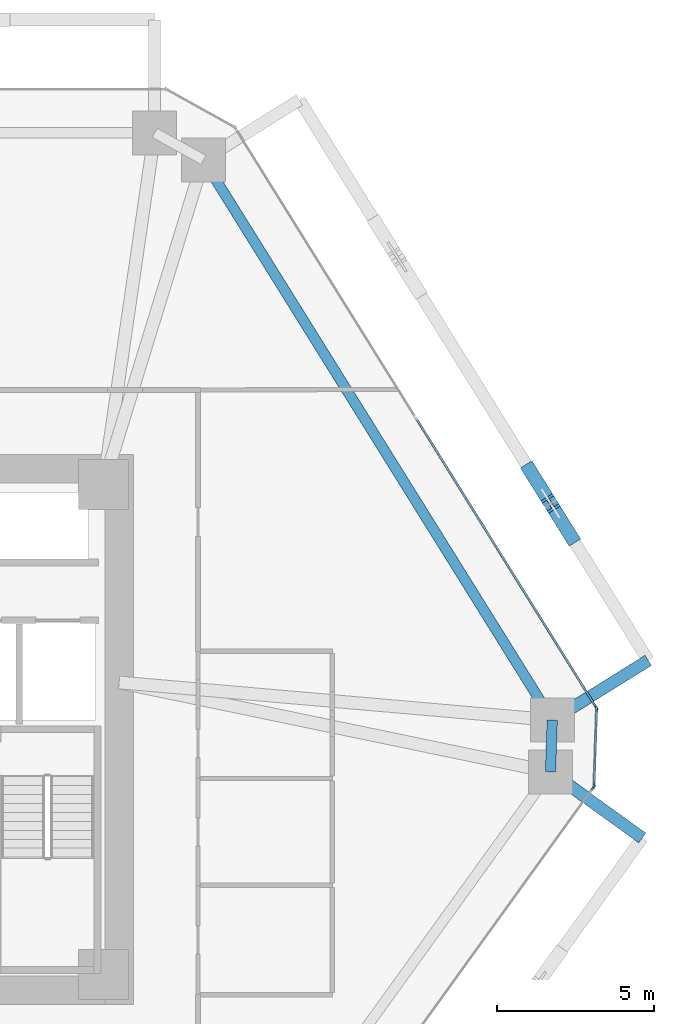
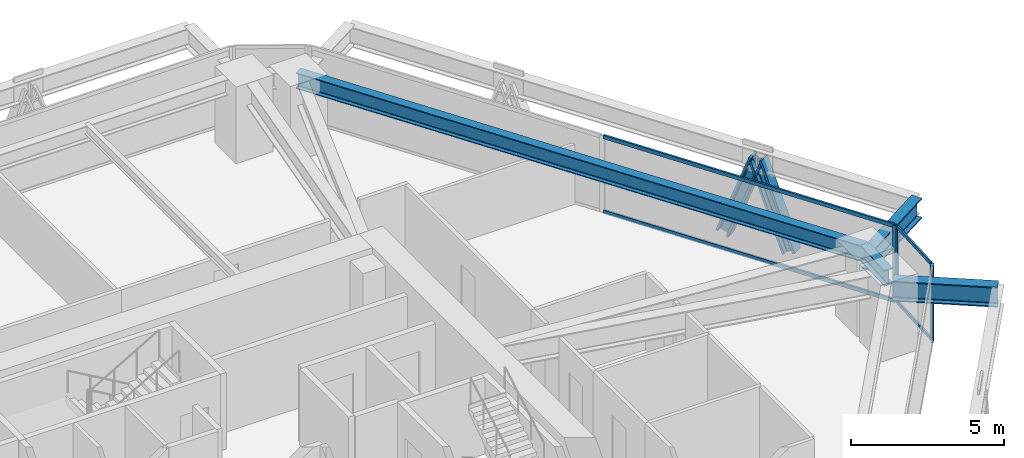
# One storey, part 6 of 17: 10 members, 4 beams, 3 elements without a shape of their own.
"""IFC4 building model written with IfcOpenShell, lengths in metres."""

import ifcopenshell
import ifcopenshell.guid

model = None  # the IFC model being written
_history = None  # IfcOwnerHistory: only IFC2X3 demands one
_inside = {}  # id of a spatial element -> (the spatial element, [elements in it])
_under = {}  # id of a project, library or spatial element -> (it, [spatial elements below it])
_declared = {}  # id of a project -> (the project, [libraries it declares])
_typed = {}  # id of a type object -> (the type object, [elements of that type])
_made_of = {}  # id of a material, layer set ... -> (it, [elements and type objects made of it])


def new_model(schema):
    """Start an empty IFC model of exactly this schema.

    Asked for "IFC4X3", IfcOpenShell would pick the latest addendum, in which some entities
    have other attributes; the version numbers below select the first issue.
    IFC2X3 requires an IfcOwnerHistory on every rooted entity: one is made here for all.
    """
    global model, _history
    if schema == "IFC4X3":
        model = ifcopenshell.file(schema_version=(4, 3, 0, 0))
    else:
        model = ifcopenshell.file(schema=schema)
    _inside.clear()
    _under.clear()
    _declared.clear()
    _typed.clear()
    _made_of.clear()
    _history = None
    if model.schema == "IFC2X3":
        org = make("IfcOrganization", Name="unknown")
        user = make(
            "IfcPersonAndOrganization",
            ThePerson=make("IfcPerson", FamilyName="unknown"),
            TheOrganization=org,
        )
        app = make(
            "IfcApplication",
            ApplicationDeveloper=org,
            Version="unknown",
            ApplicationFullName="unknown",
            ApplicationIdentifier="unknown",
        )
        _history = make(
            "IfcOwnerHistory",
            OwningUser=user,
            OwningApplication=app,
            ChangeAction="ADDED",
            CreationDate=0,
        )
    return model


def make(cls, **values):
    """One entity of the class cls with the attributes given. An attribute that is None is left unset."""
    return model.create_entity(
        cls, **{name: value for name, value in values.items() if value is not None}
    )


def rooted(cls, **values):
    """An entity with a GlobalId (a new one), such as an element, a storey or a relation."""
    return make(cls, GlobalId=ifcopenshell.guid.new(), OwnerHistory=_history, **values)


def si_unit(unit_type, name, prefix=None):
    """IfcSIUnit, for example si_unit("LENGTHUNIT", "METRE", prefix="MILLI")."""
    return make("IfcSIUnit", UnitType=unit_type, Prefix=prefix, Name=name)


def assignment(units):
    """IfcUnitAssignment: the units of a project."""
    return None if units is None else make("IfcUnitAssignment", Units=units)


def point(xyz):
    """IfcCartesianPoint."""
    return None if xyz is None else make("IfcCartesianPoint", Coordinates=xyz)


def direction(xyz):
    """IfcDirection."""
    return None if xyz is None else make("IfcDirection", DirectionRatios=xyz)


def frame(location, z_axis=None, x_axis=None):
    """IfcAxis2Placement3D, a coordinate frame: its origin and axes. An axis left out is left unset."""
    return make(
        "IfcAxis2Placement3D",
        Location=point(location),
        Axis=direction(z_axis),
        RefDirection=direction(x_axis),
    )


def frame_2d(location, x_axis=None):
    """IfcAxis2Placement2D, a coordinate frame in the plane: its origin and x axis."""
    return make(
        "IfcAxis2Placement2D", Location=point(location), RefDirection=direction(x_axis)
    )


def origin():
    """The frame at (0, 0, 0) with its axes left unset."""
    return frame((0.0, 0.0, 0.0))


def origin_2d():
    """The frame at (0, 0) in the plane with its x axis left unset."""
    return frame_2d((0.0, 0.0))


def place(relative_to, where):
    """IfcLocalPlacement: puts the frame where relative to a parent placement (None: the world)."""
    return make(
        "IfcLocalPlacement", PlacementRelTo=relative_to, RelativePlacement=where
    )


def context(
    kind, dimensions, precision=None, world=None, true_north=None, identifier=None
):
    """IfcGeometricRepresentationContext, for example the 3D "Model" context."""
    return make(
        "IfcGeometricRepresentationContext",
        ContextIdentifier=identifier,
        ContextType=kind,
        CoordinateSpaceDimension=dimensions,
        Precision=precision,
        WorldCoordinateSystem=world,
        TrueNorth=true_north,
    )


def subcontext(parent, identifier, kind, view, scale=None):
    """IfcGeometricRepresentationSubContext, for example "Body" below "Model"."""
    return make(
        "IfcGeometricRepresentationSubContext",
        ContextIdentifier=identifier,
        ContextType=kind,
        ParentContext=parent,
        TargetScale=scale,
        TargetView=view,
    )


def project(units=None, contexts=None):
    """IfcProject with its units and contexts."""
    return rooted(
        "IfcProject",
        Name="project",
        RepresentationContexts=contexts,
        UnitsInContext=assignment(units),
    )


def spatial(cls, under=None, at=None, **own):
    """A site, building, storey or space (cls), placed at a placement, below another one or the project."""
    s = rooted(cls, ObjectPlacement=at, **own)
    if under is not None:
        _under.setdefault(under.id(), (under, []))[1].append(s)
    return s


def profile(cls, at=None, kind="AREA", **sizes):
    """A parametric profile (cls). Its sizes go by their IFC names, for example OverallWidth=200.0."""
    return make(cls, ProfileType=kind, Position=at, **sizes)


def rectangle(**sizes):
    """IfcRectangleProfileDef."""
    return profile("IfcRectangleProfileDef", **sizes)


def i_section(**sizes):
    """IfcIShapeProfileDef."""
    return profile("IfcIShapeProfileDef", **sizes)


def extrude(swept, where, along, depth):
    """IfcExtrudedAreaSolid: the profile swept, set in the frame where, extruded along a direction by depth."""
    return make(
        "IfcExtrudedAreaSolid",
        SweptArea=swept,
        Position=where,
        ExtrudedDirection=direction(along),
        Depth=depth,
    )


def shape(context_of_items, identifier, shape_type, items):
    """IfcShapeRepresentation: the items that make up one representation, for example the "Body"."""
    return make(
        "IfcShapeRepresentation",
        ContextOfItems=context_of_items,
        RepresentationIdentifier=identifier,
        RepresentationType=shape_type,
        Items=items,
    )


def source(mapping_origin, context_of_items, identifier, shape_type, items):
    """IfcRepresentationMap: a shape defined once, which mapped items show again and again."""
    return make(
        "IfcRepresentationMap",
        MappingOrigin=mapping_origin,
        MappedRepresentation=shape(context_of_items, identifier, shape_type, items),
    )


def transform(
    local_origin,
    x_axis=None,
    y_axis=None,
    z_axis=None,
    scale=None,
    scale2=None,
    scale3=None,
    uniform=True,
):
    """IfcCartesianTransformationOperator3D, or its non-uniform kind. x_axis, y_axis, z_axis: its Axis1, 2, 3."""
    if uniform:
        return make(
            "IfcCartesianTransformationOperator3D",
            Axis1=direction(x_axis),
            Axis2=direction(y_axis),
            LocalOrigin=point(local_origin),
            Scale=scale,
            Axis3=direction(z_axis),
        )
    return make(
        "IfcCartesianTransformationOperator3DnonUniform",
        Axis1=direction(x_axis),
        Axis2=direction(y_axis),
        LocalOrigin=point(local_origin),
        Scale=scale,
        Axis3=direction(z_axis),
        Scale2=scale2,
        Scale3=scale3,
    )


def mapped(mapping_source, mapping_target):
    """IfcMappedItem: shows the shape of a source again, moved by a transform."""
    return make(
        "IfcMappedItem", MappingSource=mapping_source, MappingTarget=mapping_target
    )


def material(Name=None, Category=None):
    """IfcMaterial."""
    return make("IfcMaterial", Name=Name, Category=Category)


def layer(
    of_material, thickness, ventilated=None, Name=None, Category=None, Priority=None
):
    """IfcMaterialLayer: one layer of a wall or slab, of a material (None: an air gap)."""
    return make(
        "IfcMaterialLayer",
        Material=of_material,
        LayerThickness=thickness,
        IsVentilated=ventilated,
        Name=Name,
        Category=Category,
        Priority=Priority,
    )


def layer_set(layers, Name=None):
    """IfcMaterialLayerSet."""
    return make("IfcMaterialLayerSet", MaterialLayers=layers, LayerSetName=Name)


def material_profile(
    of_material, cross_section, Name=None, Category=None, Priority=None
):
    """IfcMaterialProfile: a cross section and its material."""
    return make(
        "IfcMaterialProfile",
        Name=Name,
        Material=of_material,
        Profile=cross_section,
        Priority=Priority,
        Category=Category,
    )


def profile_set(profiles, Name=None, composite=None):
    """IfcMaterialProfileSet."""
    return make(
        "IfcMaterialProfileSet",
        Name=Name,
        MaterialProfiles=profiles,
        CompositeProfile=composite,
    )


def made_of(thing, what):
    """Note that an element or type object is made of a material, layer set ...; save() writes the relation."""
    if what is not None:
        _made_of.setdefault(what.id(), (what, []))[1].append(thing)
    return thing


def type_object(cls, material=None, **own):
    """A type object (cls), such as IfcWallType, which elements share."""
    return made_of(rooted(cls, **own), material)


def type_shapes(of_type, sources):
    """Give a type object the sources (RepresentationMaps) that its elements show as mapped items."""
    of_type.RepresentationMaps = sources


def element(
    cls,
    number,
    at=None,
    inside=None,
    cuts=None,
    type_object=None,
    material=None,
    context=None,
    identifier="Body",
    shape_type=None,
    held_by="IfcProductDefinitionShape",
    body=None,
    shapes=None,
    **own,
):
    """One element of the class cls, such as IfcWall. Its Tag is "e" and its number.

    at: its placement. inside: the storey or other place that contains it. cuts: it is an
    opening in that element (IfcRelVoidsElement). A single representation is given by context,
    identifier, shape_type and body (its items); several are given by shapes. held_by: the class
    of the entity that holds the representations. save() writes the other relations.
    """
    e = rooted(cls, Tag="e%d" % number, ObjectPlacement=at, **own)
    if body is not None:
        shapes = [shape(context, identifier, shape_type, body)]
    if shapes is not None:
        e.Representation = make(held_by, Representations=shapes)
    if inside is not None:
        _inside.setdefault(inside.id(), (inside, []))[1].append(e)
    if cuts is not None:
        rooted(
            "IfcRelVoidsElement", RelatingBuildingElement=cuts, RelatedOpeningElement=e
        )
    if type_object is not None:
        _typed.setdefault(type_object.id(), (type_object, []))[1].append(e)
    return made_of(e, material)


def aggregate(whole, parts):
    """IfcRelAggregates: a whole, such as a stair, and the parts it consists of."""
    return rooted("IfcRelAggregates", RelatingObject=whole, RelatedObjects=parts)


def save(model, path):
    """Write the relations noted so far, then the file.

    IfcRelAggregates (storeys below a building ...), IfcRelContainedInSpatialStructure (elements
    in a storey), IfcRelDefinesByType, IfcRelAssociatesMaterial and IfcRelDeclares: one each for
    every whole, place, type object, material and project.
    """
    for whole, parts in _under.values():
        aggregate(whole, parts)
    for where, things in _inside.values():
        rooted(
            "IfcRelContainedInSpatialStructure",
            RelatedElements=things,
            RelatingStructure=where,
        )
    for kind, things in _typed.values():
        rooted("IfcRelDefinesByType", RelatedObjects=things, RelatingType=kind)
    for what, things in _made_of.values():
        rooted("IfcRelAssociatesMaterial", RelatedObjects=things, RelatingMaterial=what)
    for by, libraries in _declared.values():
        rooted("IfcRelDeclares", RelatingContext=by, RelatedDefinitions=libraries)
    model.write(path)


model = new_model("IFC4")

# Units and contexts
model_context = context("Model", 3, precision=1e-05, world=origin(), true_north=direction((0.0, 1.0)))
body_context = subcontext(model_context, "Body", "Model", "MODEL_VIEW")
ifc_project = project(units=[si_unit("LENGTHUNIT", "METRE"), si_unit("AREAUNIT", "SQUARE_METRE"), si_unit("VOLUMEUNIT", "CUBIC_METRE"), si_unit("PLANEANGLEUNIT", "RADIAN"), si_unit("MASSUNIT", "GRAM", prefix="KILO")], contexts=[model_context])

# Site, building, storey
site_placement = place(None, origin())
site = spatial("IfcSite", under=ifc_project, at=site_placement, CompositionType="ELEMENT")
building_placement = place(site_placement, origin())
building = spatial("IfcBuilding", under=site, at=building_placement, Name="Durnholm Broadcast Tower", CompositionType="ELEMENT")
storey_placement = place(building_placement, frame((0.0, 0.0, 52.199951171875)))
storey = spatial("IfcBuildingStorey", under=building, at=storey_placement, Name="L12", CompositionType="ELEMENT", Elevation=52.199951171875)

# Beams
ifc_material_1 = material(Name="Steel ASTM A992 Grade 50", Category="steel")
ifc_material_profile_1 = material_profile(ifc_material_1, i_section(OverallWidth=0.3291015625, OverallDepth=0.635009765625, WebThickness=0.017822265625, FlangeThickness=0.031005859375, FilletRadius=0.02783203125, at=origin_2d()), Name="W24X162")
ifc_profile_set_1 = profile_set([ifc_material_profile_1], Name="Steel ASTM A992 Grade 50")
beam_type_1 = type_object("IfcBeamType", Name="STL-SP-W24X162", PredefinedType="SPANDREL", material=ifc_profile_set_1)
shared_shape_1 = source(origin(), body_context, "Body", "SweptSolid", [
    extrude(i_section(OverallWidth=0.3291015625, OverallDepth=0.635009765625, WebThickness=0.017822265625, FlangeThickness=0.031005859375, FilletRadius=0.02783203125, at=origin_2d()), origin(), (0.0, 0.0, 1.0), 21.014404296875),
])
beam_1_placement = place(storey_placement, frame((12.982666015625, 18.138427734375, 2.7275390625), z_axis=(0.528595731543, -0.848873696491, 0.0), x_axis=(0.848873696491, 0.528595731543, 0.0)))
element("IfcBeam", 1, at=beam_1_placement, inside=storey, type_object=beam_type_1, Name="L12 perimeter spandrel girder 07", PredefinedType="SPANDREL", context=body_context, shape_type="MappedRepresentation", body=[
    mapped(shared_shape_1, transform((0.0, 0.0, 0.0), x_axis=(1.0, 0.0, 0.0), y_axis=(0.0, 1.0, 0.0), z_axis=(0.0, 0.0, 1.0), scale=1.0)),
])
shared_shape_2 = source(origin(), body_context, "Body", "SweptSolid", [
    extrude(i_section(OverallWidth=0.3291015625, OverallDepth=0.635009765625, WebThickness=0.017822265625, FlangeThickness=0.031005859375, FilletRadius=0.02783203125, at=origin_2d()), origin(), (0.0, 0.0, 1.0), 1.648193359375),
])
type_shapes(beam_type_1, [shared_shape_1, shared_shape_2])
beam_2_placement = place(storey_placement, frame((24.0908203125, 0.2998046875, 2.7275390625), z_axis=(-0.033921477804, -0.999424501072, 0.0), x_axis=(0.999424501072, -0.033921477804, 0.0)))
element("IfcBeam", 2, at=beam_2_placement, inside=storey, type_object=beam_type_1, Name="L12 perimeter spandrel girder 08", PredefinedType="SPANDREL", context=body_context, shape_type="MappedRepresentation", body=[
    mapped(shared_shape_2, transform((0.0, 0.0, 0.0), x_axis=(1.0, 0.0, 0.0), y_axis=(0.0, 1.0, 0.0), z_axis=(0.0, 0.0, 1.0), scale=1.0)),
])
ifc_material_profile_2 = material_profile(ifc_material_1, i_section(OverallWidth=0.385009765625, OverallDepth=0.802978515625, WebThickness=0.023681640625, FlangeThickness=0.0419921875, FilletRadius=0.032958984375, at=origin_2d()), Name="W30X261")
ifc_profile_set_2 = profile_set([ifc_material_profile_2], Name="Steel ASTM A992 Grade 50")
beam_type_2 = type_object("IfcBeamType", Name="BM-EXO-TIE", PredefinedType="USERDEFINED", material=ifc_profile_set_2)
shared_shape_3 = source(origin(), body_context, "Body", "SweptSolid", [
    extrude(i_section(OverallWidth=0.385009765625, OverallDepth=0.802978515625, WebThickness=0.023681640625, FlangeThickness=0.0419921875, FilletRadius=0.032958984375, at=origin_2d()), origin(), (0.0, 0.0, 1.0), 3.4560546875),
])
beam_3_placement = place(storey_placement, frame((24.212890625, 0.375732421875, 2.30859375), z_axis=(0.848874183218, 0.528594949906, 0.0), x_axis=(-0.528594949906, 0.848874183218, 0.0)))
element("IfcBeam", 3, at=beam_3_placement, inside=storey, type_object=beam_type_2, Name="L12 exoskeleton stand-off tie bracket F3.1", ObjectType="GIRDER", PredefinedType="USERDEFINED", context=body_context, shape_type="MappedRepresentation", body=[
    mapped(shared_shape_3, transform((0.0, 0.0, 0.0), x_axis=(1.0, 0.0, 0.0), y_axis=(0.0, 1.0, 0.0), z_axis=(0.0, 0.0, 1.0), scale=1.0)),
])
shared_shape_4 = source(origin(), body_context, "Body", "SweptSolid", [
    extrude(i_section(OverallWidth=0.385009765625, OverallDepth=0.802978515625, WebThickness=0.023681640625, FlangeThickness=0.0419921875, FilletRadius=0.032958984375, at=origin_2d()), origin(), (0.0, 0.0, 1.0), 3.455810546875),
])
type_shapes(beam_type_2, [shared_shape_3, shared_shape_4])
beam_4_placement = place(storey_placement, frame((24.15185546875, -1.431396484375, 2.30859375), z_axis=(0.811133512552, -0.584861030344, 0.0), x_axis=(0.584861030344, 0.811133512552, 0.0)))
element("IfcBeam", 4, at=beam_4_placement, inside=storey, type_object=beam_type_2, Name="L12 exoskeleton stand-off tie bracket F2.2", ObjectType="GIRDER", PredefinedType="USERDEFINED", context=body_context, shape_type="MappedRepresentation", body=[
    mapped(shared_shape_4, transform((0.0, 0.0, 0.0), x_axis=(1.0, 0.0, 0.0), y_axis=(0.0, 1.0, 0.0), z_axis=(0.0, 0.0, 1.0), scale=1.0)),
])

# Members
ifc_material_2 = material(Name="Steel ASTM A913 Grade 65", Category="steel")
ifc_material_profile_3 = material_profile(ifc_material_2, i_section(OverallWidth=0.43212890625, OverallDepth=0.497802734375, WebThickness=0.0556640625, FlangeThickness=0.0888671875, FilletRadius=0.030517578125, at=origin_2d()), Name="W14X500")
ifc_profile_set_3 = profile_set([ifc_material_profile_3], Name="Steel ASTM A913 Grade 65")
member_type_1 = type_object("IfcMemberType", Name="STL-DG-W14X500", PredefinedType="BRACE", material=ifc_profile_set_3)
shared_shape_5 = source(origin(), body_context, "Body", "SweptSolid", [
    extrude(i_section(OverallWidth=0.43212890625, OverallDepth=0.497802734375, WebThickness=0.0556640625, FlangeThickness=0.0888671875, FilletRadius=0.030517578125, at=origin_2d()), origin(), (0.0, 0.0, 1.0), 3.523193359375),
])
type_shapes(member_type_1, [shared_shape_5])
for number, where, z_axis, x_axis, name in (
    (5, (24.688720703125, 6.150146484375, -0.991455078125), (-0.185157304084, 0.297277258428, 0.936665897941), (-0.848819847179, -0.528682198523, 0.0), "L12 stand-off diagrid brace F3.D1.1"),
    (6, (23.38427734375, 8.244873046875, -0.991455078125), (0.185090383068, -0.297281072018, 0.936677913861), (0.848908635391, 0.528539618911, 0.0), "L12 stand-off diagrid brace F3.D1.2"),
):
    element("IfcMember", number, at=place(storey_placement, frame(where, z_axis=z_axis, x_axis=x_axis)), inside=storey, type_object=member_type_1, Name=name, PredefinedType="BRACE", context=body_context, shape_type="MappedRepresentation", body=[
        mapped(shared_shape_5, transform((0.0, 0.0, 0.0), x_axis=(1.0, 0.0, 0.0), y_axis=(0.0, 1.0, 0.0), z_axis=(0.0, 0.0, 1.0), scale=1.0)),
    ])

# Curtain wall, members
ifc_material_3 = material(Name="Aluminium and Solar Control IGU", Category="aluminium")
ifc_layer_1 = layer(ifc_material_3, 0.1650390625)
ifc_layer_set_1 = layer_set([ifc_layer_1], Name="Aluminium and Solar Control IGU")
curtain_wall_type_1 = type_object("IfcCurtainWallType", Name="CW-SYS-5", PredefinedType="NOTDEFINED", material=ifc_layer_set_1)
curtain_wall_1_placement = place(storey_placement, origin())
curtain_wall_1 = element("IfcCurtainWall", 7, at=curtain_wall_1_placement, inside=storey, type_object=curtain_wall_type_1, Name="L12 curtain wall CW-CORNER CW-L12-CRN-07", PredefinedType="NOTDEFINED")
ifc_material_4 = material(Name="Aluminium 6063-T6", Category="aluminium")
ifc_material_profile_4 = material_profile(ifc_material_4, rectangle(XDim=0.06494140625, YDim=0.1650390625, at=origin_2d()), Name="CWM65X165")
ifc_profile_set_4 = profile_set([ifc_material_profile_4], Name="Aluminium 6063-T6")
member_type_2 = type_object("IfcMemberType", Name="CW-SYS-5-MUL", PredefinedType="MULLION", material=ifc_profile_set_4)
shared_shape_6 = source(origin(), body_context, "Body", "SweptSolid", [
    extrude(rectangle(XDim=0.06494140625, YDim=0.1650390625, at=origin_2d()), origin(), (0.0, 0.0, 1.0), 3.06005859375),
])
type_shapes(member_type_2, [shared_shape_6])
member_1_placement = place(storey_placement, frame((25.50341796875, 0.6455078125, 0.0), z_axis=(0.0, 0.0, 1.0), x_axis=(0.999427277772, -0.033839569233, 0.0)))
member_1 = element("IfcMember", 8, at=member_1_placement, type_object=member_type_2, Name="CW-CORNER mullion 1", PredefinedType="MULLION", context=body_context, shape_type="MappedRepresentation", body=[
    mapped(shared_shape_6, transform((0.0, 0.0, 0.0), x_axis=(1.0, 0.0, 0.0), y_axis=(0.0, 1.0, 0.0), z_axis=(0.0, 0.0, 1.0), scale=1.0)),
])
member_2_placement = place(storey_placement, frame((25.4208984375, -1.7880859375, 0.0), z_axis=(0.0, 0.0, 1.0), x_axis=(0.999427277772, -0.033839569233, 0.0)))
member_2 = element("IfcMember", 9, at=member_2_placement, type_object=member_type_2, Name="CW-CORNER mullion 2", PredefinedType="MULLION", context=body_context, shape_type="MappedRepresentation", body=[
    mapped(shared_shape_6, transform((0.0, 0.0, 0.0), x_axis=(1.0, 0.0, 0.0), y_axis=(0.0, 1.0, 0.0), z_axis=(0.0, 0.0, 1.0), scale=1.0)),
])
ifc_material_profile_5 = material_profile(ifc_material_4, rectangle(XDim=0.06494140625, YDim=0.1298828125, at=origin_2d()), Name="CWT65X130")
ifc_profile_set_5 = profile_set([ifc_material_profile_5], Name="Aluminium 6063-T6")
member_type_3 = type_object("IfcMemberType", Name="CW-SYS-5-TRN", PredefinedType="USERDEFINED", material=ifc_profile_set_5)
shared_shape_7 = source(origin(), body_context, "Body", "SweptSolid", [
    extrude(rectangle(XDim=0.06494140625, YDim=0.1298828125, at=origin_2d()), origin(), (0.0, 0.0, 1.0), 2.3701171875),
])
type_shapes(member_type_3, [shared_shape_7])
member_3_placement = place(storey_placement, frame((25.502197265625, 0.613037109375, 0.032470703125), z_axis=(-0.033788158898, -0.999429017148, 0.0), x_axis=(0.999429017148, -0.033788158898, 0.0)))
member_3 = element("IfcMember", 10, at=member_3_placement, type_object=member_type_3, Name="CW-CORNER transom 1.1", ObjectType="TRANSOM", PredefinedType="USERDEFINED", context=body_context, shape_type="MappedRepresentation", body=[
    mapped(shared_shape_7, transform((0.0, 0.0, 0.0), x_axis=(1.0, 0.0, 0.0), y_axis=(0.0, 1.0, 0.0), z_axis=(0.0, 0.0, 1.0), scale=1.0)),
])
member_4_placement = place(storey_placement, frame((25.502197265625, 0.613037109375, 3.027587890625), z_axis=(-0.033788158898, -0.999429017148, 0.0), x_axis=(0.999429017148, -0.033788158898, 0.0)))
member_4 = element("IfcMember", 11, at=member_4_placement, type_object=member_type_3, Name="CW-CORNER transom 1.2", ObjectType="TRANSOM", PredefinedType="USERDEFINED", context=body_context, shape_type="MappedRepresentation", body=[
    mapped(shared_shape_7, transform((0.0, 0.0, 0.0), x_axis=(1.0, 0.0, 0.0), y_axis=(0.0, 1.0, 0.0), z_axis=(0.0, 0.0, 1.0), scale=1.0)),
])
aggregate(curtain_wall_1, [member_1, member_2, member_3, member_4])

# Curtain wall, member
ifc_layer_2 = layer(ifc_material_3, 0.18994140625)
ifc_layer_set_2 = layer_set([ifc_layer_2], Name="Aluminium and Solar Control IGU")
curtain_wall_type_2 = type_object("IfcCurtainWallType", Name="CW-SYS-3", PredefinedType="NOTDEFINED", material=ifc_layer_set_2)
curtain_wall_2_placement = place(storey_placement, origin())
curtain_wall_2 = element("IfcCurtainWall", 12, at=curtain_wall_2_placement, inside=storey, type_object=curtain_wall_type_2, Name="L12 curtain wall CW-Z12-VIS CW-L12-F06", PredefinedType="NOTDEFINED")
ifc_material_profile_6 = material_profile(ifc_material_4, rectangle(XDim=0.070068359375, YDim=0.18994140625, at=origin_2d()), Name="CWM70X190")
ifc_profile_set_6 = profile_set([ifc_material_profile_6], Name="Aluminium 6063-T6")
member_type_4 = type_object("IfcMemberType", Name="CW-SYS-3-MUL", PredefinedType="MULLION", material=ifc_profile_set_6)
shared_shape_8 = source(origin(), body_context, "Body", "SweptSolid", [
    extrude(rectangle(XDim=0.070068359375, YDim=0.18994140625, at=origin_2d()), origin(), (0.0, 0.0, 1.0), 3.06005859375),
])
type_shapes(member_type_4, [shared_shape_8])
member_5_placement = place(storey_placement, frame((25.48583984375, 0.707763671875, 0.0), z_axis=(0.0, 0.0, 1.0), x_axis=(0.848875785503, 0.528592376777, 0.0)))
member_5 = element("IfcMember", 13, at=member_5_placement, type_object=member_type_4, Name="CW-Z12-VIS mullion 3", PredefinedType="MULLION", context=body_context, shape_type="MappedRepresentation", body=[
    mapped(shared_shape_8, transform((0.0, 0.0, 0.0), x_axis=(1.0, 0.0, 0.0), y_axis=(0.0, 1.0, 0.0), z_axis=(0.0, 0.0, 1.0), scale=1.0)),
])

curtain_wall_3_placement = place(storey_placement, origin())
curtain_wall_3 = element("IfcCurtainWall", 14, at=curtain_wall_3_placement, inside=storey, type_object=curtain_wall_type_2, Name="L12 curtain wall CW-Z12-VIS CW-L12-F08", PredefinedType="NOTDEFINED")
member_6_placement = place(storey_placement, frame((25.3994140625, -1.848876953125, 0.0), z_axis=(0.0, 0.0, 1.0), x_axis=(0.81116057493, -0.584823496176, 0.0)))
member_6 = element("IfcMember", 15, at=member_6_placement, type_object=member_type_4, Name="CW-Z12-VIS mullion 1", PredefinedType="MULLION", context=body_context, shape_type="MappedRepresentation", body=[
    mapped(shared_shape_8, transform((0.0, 0.0, 0.0), x_axis=(1.0, 0.0, 0.0), y_axis=(0.0, 1.0, 0.0), z_axis=(0.0, 0.0, 1.0), scale=1.0)),
])
aggregate(curtain_wall_3, [member_6])

# Member
ifc_material_profile_7 = material_profile(ifc_material_4, rectangle(XDim=0.070068359375, YDim=0.14990234375, at=origin_2d()), Name="CWT70X150")
ifc_profile_set_7 = profile_set([ifc_material_profile_7], Name="Aluminium 6063-T6")
member_type_5 = type_object("IfcMemberType", Name="CW-SYS-3-TRN", PredefinedType="USERDEFINED", material=ifc_profile_set_7)
shared_shape_9 = source(origin(), body_context, "Body", "SweptSolid", [
    extrude(rectangle(XDim=0.070068359375, YDim=0.14990234375, at=origin_2d()), origin(), (0.0, 0.0, 1.0), 10.796630859375),
])
type_shapes(member_type_5, [shared_shape_9])
member_7_placement = place(storey_placement, frame((19.760498046875, 9.902587890625, 0.03515625), z_axis=(0.528575362968, -0.848886379714, 0.0), x_axis=(0.848886379714, 0.528575362968, 0.0)))
member_7 = element("IfcMember", 16, at=member_7_placement, type_object=member_type_5, Name="CW-Z12-VIS transom 2.1", ObjectType="TRANSOM", PredefinedType="USERDEFINED", context=body_context, shape_type="MappedRepresentation", body=[
    mapped(shared_shape_9, transform((0.0, 0.0, 0.0), x_axis=(1.0, 0.0, 0.0), y_axis=(0.0, 1.0, 0.0), z_axis=(0.0, 0.0, 1.0), scale=1.0)),
])

member_8_placement = place(storey_placement, frame((19.760498046875, 9.902587890625, 3.025146484375), z_axis=(0.528575362968, -0.848886379714, 0.0), x_axis=(0.848886379714, 0.528575362968, 0.0)))
member_8 = element("IfcMember", 17, at=member_8_placement, type_object=member_type_5, Name="CW-Z12-VIS transom 2.2", ObjectType="TRANSOM", PredefinedType="USERDEFINED", context=body_context, shape_type="MappedRepresentation", body=[
    mapped(shared_shape_9, transform((0.0, 0.0, 0.0), x_axis=(1.0, 0.0, 0.0), y_axis=(0.0, 1.0, 0.0), z_axis=(0.0, 0.0, 1.0), scale=1.0)),
])

aggregate(curtain_wall_2, [member_5, member_7, member_8])

save(model, "model.ifc")
